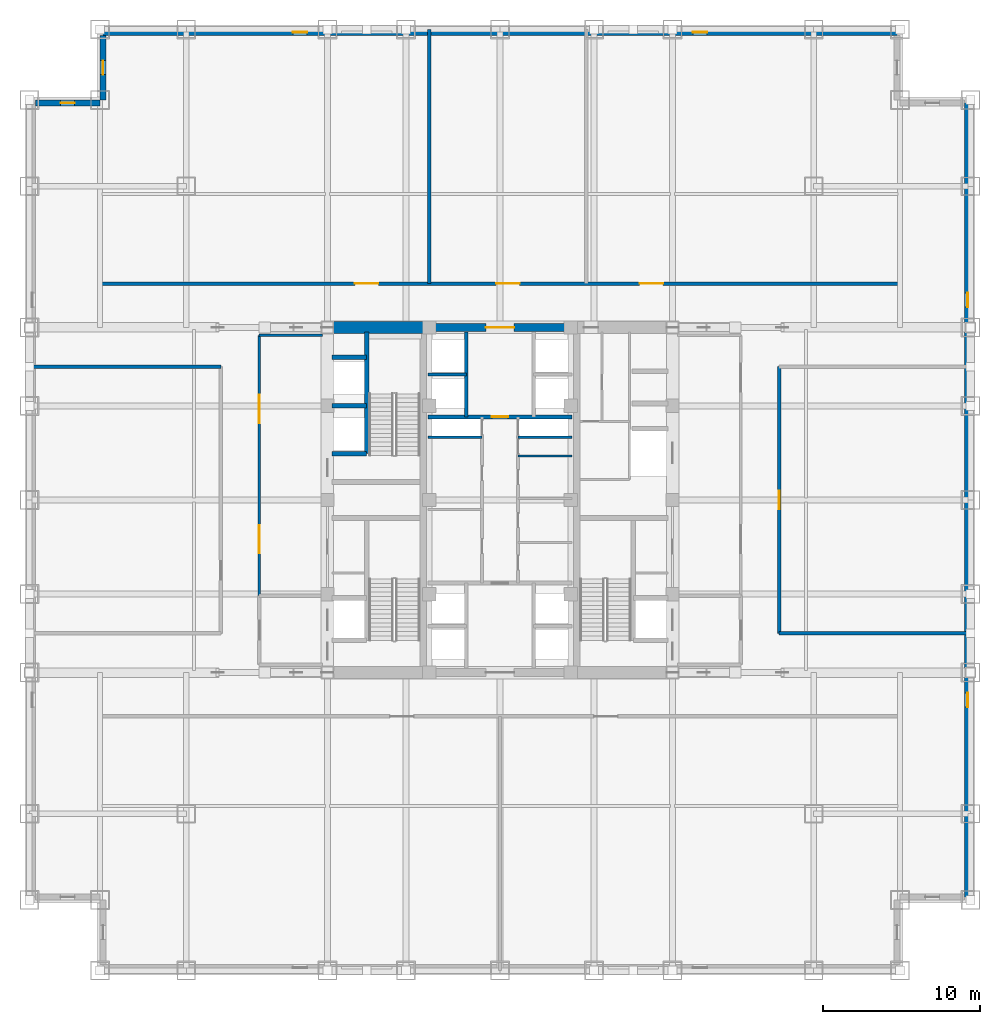
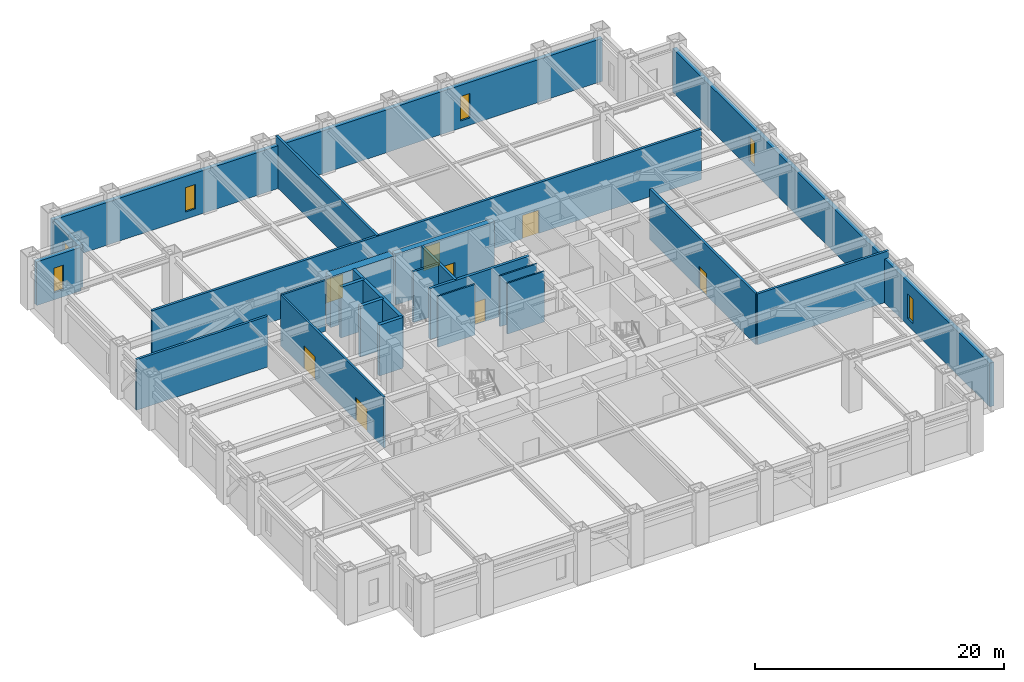
# One storey, part 9 of 12: 23 walls, 8 doors, 6 windows, 14 openings.
"""IFC4 building model written with IfcOpenShell, lengths in metres."""

from ifc_helpers import new_model, si_unit, direction, frame, frame_2d, origin, place, context, subcontext, project, spatial, rectangle, extrude, source, transform, mapped, material, layer, layer_set, type_object, element, fill, save


model = new_model("IFC4")

# Units and contexts
model_context = context("Model", 3, precision=1e-05, world=origin(), true_north=direction((0.0, 1.0)))
body_context = subcontext(model_context, "Body", "Model", "MODEL_VIEW")
ifc_project = project(units=[si_unit("LENGTHUNIT", "METRE"), si_unit("AREAUNIT", "SQUARE_METRE"), si_unit("VOLUMEUNIT", "CUBIC_METRE"), si_unit("PLANEANGLEUNIT", "RADIAN"), si_unit("MASSUNIT", "GRAM", prefix="KILO")], contexts=[model_context])

# Site, building, storey
site_placement = place(None, origin())
site = spatial("IfcSite", under=ifc_project, at=site_placement, CompositionType="ELEMENT")
building_placement = place(site_placement, origin())
building = spatial("IfcBuilding", under=site, at=building_placement, Name="Khorayat Bourse Tower", CompositionType="ELEMENT")
storey_placement = place(building_placement, frame((0.0, 0.0, 149.89990234375)))
storey = spatial("IfcBuildingStorey", under=building, at=storey_placement, Name="L34", CompositionType="ELEMENT", Elevation=149.89990234375)

# Wall
ifc_material_1 = material(Name="Concrete C72/90", Category="concrete")
ifc_layer_1 = layer(ifc_material_1, 0.75)
ifc_layer_set_1 = layer_set([ifc_layer_1], Name="Concrete C72/90")
wall_type_1 = type_object("IfcWallType", Name="WAL-CORE-750", PredefinedType="SHEAR", material=ifc_layer_set_1)
shared_shape_1 = source(origin(), body_context, "Body", "SweptSolid", [
    extrude(rectangle(XDim=5.849853515625, YDim=0.75, at=frame_2d((2.9248046875, 0.0))), origin(), (0.0, 0.0, 1.0), 4.97998046875),
])
wall_1_placement = place(storey_placement, frame((-10.699951171875, 11.0, 0.0), z_axis=(0.0, 0.0, 1.0), x_axis=(1.0, 0.0, 0.0)))
element("IfcWall", 1, at=wall_1_placement, inside=storey, type_object=wall_type_1, Name="L34 Core Shear Wall PIER-WN", PredefinedType="SHEAR", context=body_context, shape_type="MappedRepresentation", body=[
    mapped(shared_shape_1, transform((0.0, 0.0, 0.0), scale=1.0)),
])

# Wall, opening, door
ifc_material_2 = material(Name="Concrete C52/65", Category="concrete")
ifc_layer_2 = layer(ifc_material_2, 0.5)
ifc_layer_set_2 = layer_set([ifc_layer_2], Name="Concrete C52/65")
wall_type_2 = type_object("IfcWallType", Name="WAL-CORE-500", PredefinedType="SHEAR", material=ifc_layer_set_2)
shared_shape_2 = source(origin(), body_context, "Body", "SweptSolid", [
    extrude(rectangle(XDim=9.2001953125, YDim=0.5, at=frame_2d((4.60009765625, 0.0))), origin(), (0.0, 0.0, 1.0), 4.97998046875),
])
wall_2_placement = place(storey_placement, frame((-4.60009765625, 11.0, 0.0), z_axis=(0.0, 0.0, 1.0), x_axis=(1.0, 0.0, 0.0)))
wall_2 = element("IfcWall", 2, at=wall_2_placement, inside=storey, type_object=wall_type_2, Name="L34 Core Shear Wall CORE-N", PredefinedType="SHEAR", context=body_context, shape_type="MappedRepresentation", body=[
    mapped(shared_shape_2, transform((0.0, 0.0, 0.0), scale=1.0)),
])
shared_shape_3 = source(origin(), body_context, "Body", "SweptSolid", [
    extrude(rectangle(XDim=1.800048828125, YDim=2.25, at=frame_2d((0.89990234375, 1.125))), frame((0.0, 0.260009765625, 0.0), z_axis=(0.0, -1.0, 0.0), x_axis=(1.0, 0.0, 0.0)), (0.0, 0.0, 1.0), 0.52001953125),
])
opening_1_placement = place(wall_2_placement, frame((3.699951171875, 0.0, 0.0)))
opening_1 = element("IfcOpeningElement", 3, at=opening_1_placement, cuts=wall_2, Name="Opening DI-03", PredefinedType="OPENING", context=body_context, shape_type="MappedRepresentation", body=[
    mapped(shared_shape_3, transform((0.0, 0.0, 0.0), scale=1.0)),
])
ifc_material_3 = material(Name="Fire-rated hardwood vision-panel double leaf", Category="wood")
door_type_1 = type_object("IfcDoorType", Name="DR-INT-CORR-1800", OperationType="NOTDEFINED", PredefinedType="DOOR", material=ifc_material_3)
shared_shape_4 = source(origin(), body_context, "Body", "SweptSolid", [
    extrude(rectangle(XDim=1.800048828125, YDim=2.25, at=frame_2d((0.89990234375, 1.125))), frame((0.0, 0.02490234375, 0.0), z_axis=(0.0, -1.0, 0.0), x_axis=(1.0, 0.0, 0.0)), (0.0, 0.0, 1.0), 0.050048828125),
])
door_1_placement = place(opening_1_placement, origin())
door_1 = element("IfcDoor", 4, at=door_1_placement, inside=storey, type_object=door_type_1, Name="L34 Mid-Rise Lift Lobby Door", OperationType="SINGLE_SWING_RIGHT", OverallHeight=2.25, OverallWidth=1.800048828125, PredefinedType="DOOR", context=body_context, shape_type="MappedRepresentation", body=[
    mapped(shared_shape_4, transform((0.0, 0.0, 0.0), scale=1.0)),
])
fill(opening_1, door_1)

# Wall, opening, window
ifc_material_4 = material(Name="Precast concrete C45/55", Category="concrete")
ifc_layer_3 = layer(ifc_material_4, 0.3798828125)
ifc_layer_set_3 = layer_set([ifc_layer_3], Name="Precast concrete C45/55")
wall_type_3 = type_object("IfcWallType", Name="WAL-EXT-STONE-380", PredefinedType="STANDARD", material=ifc_layer_set_3)
shared_shape_5 = source(origin(), body_context, "Body", "SweptSolid", [
    extrude(rectangle(XDim=4.1201171875, YDim=0.3798828125, at=frame_2d((2.06005859375, 0.0))), origin(), (0.0, 0.0, 1.0), 4.28515625),
])
wall_3_placement = place(storey_placement, frame((-25.5, 25.31005859375, 0.0), z_axis=(0.0, 0.0, 1.0), x_axis=(-1.0, 0.0, 0.0)))
wall_3 = element("IfcWall", 5, at=wall_3_placement, inside=storey, type_object=wall_type_3, Name="L34 Re-Entrant Notch Limestone Wall NW-H", PredefinedType="STANDARD", context=body_context, shape_type="MappedRepresentation", body=[
    mapped(shared_shape_5, transform((0.0, 0.0, 0.0), scale=1.0)),
])
shared_shape_6 = source(origin(), body_context, "Body", "SweptSolid", [
    extrude(rectangle(XDim=0.89990234375, YDim=2.39990234375, at=frame_2d((0.449951171875, 1.199951171875))), frame((0.0, 0.199951171875, 0.0), z_axis=(0.0, -1.0, 0.0), x_axis=(1.0, 0.0, 0.0)), (0.0, 0.0, 1.0), 0.39990234375),
])
opening_2_placement = place(wall_3_placement, frame((1.610107421875, 0.0, 0.699951171875)))
opening_2 = element("IfcOpeningElement", 6, at=opening_2_placement, cuts=wall_3, Name="Opening WN-03", PredefinedType="OPENING", context=body_context, shape_type="MappedRepresentation", body=[
    mapped(shared_shape_6, transform((0.0, 0.0, 0.0), scale=1.0)),
])
ifc_material_5 = material(Name="Deep-reveal solar-control double glazing", Category="glass")
window_type = type_object("IfcWindowType", Name="WIN-SLOT-900x2400", PartitioningType="SINGLE_PANEL", PredefinedType="WINDOW", material=ifc_material_5)
shared_shape_7 = source(origin(), body_context, "Body", "SweptSolid", [
    extrude(rectangle(XDim=0.89990234375, YDim=2.39990234375, at=frame_2d((0.449951171875, 1.199951171875))), frame((0.0, 0.030029296875, 0.0), z_axis=(0.0, -1.0, 0.0), x_axis=(1.0, 0.0, 0.0)), (0.0, 0.0, 1.0), 0.06005859375),
])
window_1_placement = place(opening_2_placement, origin())
window_1 = element("IfcWindow", 7, at=window_1_placement, inside=storey, type_object=window_type, Name="L34 Facade Window 1", OverallHeight=2.39990234375, OverallWidth=0.89990234375, PartitioningType="SINGLE_PANEL", PredefinedType="WINDOW", context=body_context, shape_type="MappedRepresentation", body=[
    mapped(shared_shape_7, transform((0.0, 0.0, 0.0), scale=1.0)),
])
fill(opening_2, window_1)

shared_shape_8 = source(origin(), body_context, "Body", "SweptSolid", [
    extrude(rectangle(XDim=4.1201171875, YDim=0.3798828125, at=frame_2d((2.06005859375, 0.0))), origin(), (0.0, 0.0, 1.0), 4.205078125),
])
wall_4_placement = place(storey_placement, frame((-25.31005859375, 25.5, 0.0), z_axis=(0.0, 0.0, 1.0), x_axis=(0.0, 1.0, 0.0)))
wall_4 = element("IfcWall", 8, at=wall_4_placement, inside=storey, type_object=wall_type_3, Name="L34 Re-Entrant Notch Limestone Wall NW-V", PredefinedType="STANDARD", context=body_context, shape_type="MappedRepresentation", body=[
    mapped(shared_shape_8, transform((0.0, 0.0, 0.0), scale=1.0)),
])
opening_3_placement = place(wall_4_placement, frame((1.610107421875, 0.0, 0.699951171875)))
opening_3 = element("IfcOpeningElement", 9, at=opening_3_placement, cuts=wall_4, Name="Opening WN-03", PredefinedType="OPENING", context=body_context, shape_type="MappedRepresentation", body=[
    mapped(shared_shape_6, transform((0.0, 0.0, 0.0), scale=1.0)),
])
window_2_placement = place(opening_3_placement, origin())
window_2 = element("IfcWindow", 10, at=window_2_placement, inside=storey, type_object=window_type, Name="L34 Facade Window 1", OverallHeight=2.39990234375, OverallWidth=0.89990234375, PartitioningType="SINGLE_PANEL", PredefinedType="WINDOW", context=body_context, shape_type="MappedRepresentation", body=[
    mapped(shared_shape_7, transform((0.0, 0.0, 0.0), scale=1.0)),
])
fill(opening_3, window_2)

# Wall, openings, windows
shared_shape_9 = source(origin(), body_context, "Body", "SweptSolid", [
    extrude(rectangle(XDim=51.0, YDim=0.3798828125, at=frame_2d((25.5, 0.0))), origin(), (0.0, 0.0, 1.0), 4.205078125),
])
wall_5_placement = place(storey_placement, frame((-25.5, 29.81005859375, 0.0), z_axis=(0.0, 0.0, 1.0), x_axis=(1.0, 0.0, 0.0)))
wall_5 = element("IfcWall", 11, at=wall_5_placement, inside=storey, type_object=wall_type_3, Name="L34 Plant Perimeter Wall N", PredefinedType="STANDARD", context=body_context, shape_type="MappedRepresentation", body=[
    mapped(shared_shape_9, transform((0.0, 0.0, 0.0), scale=1.0)),
])
opening_4_placement = place(wall_5_placement, frame((12.300048828125, 0.0, 0.699951171875)))
opening_4 = element("IfcOpeningElement", 12, at=opening_4_placement, cuts=wall_5, Name="Opening WN-03", PredefinedType="OPENING", context=body_context, shape_type="MappedRepresentation", body=[
    mapped(shared_shape_6, transform((0.0, 0.0, 0.0), scale=1.0)),
])
opening_5_placement = place(wall_5_placement, frame((37.800048828125, 0.0, 0.699951171875)))
opening_5 = element("IfcOpeningElement", 13, at=opening_5_placement, cuts=wall_5, Name="Opening WN-03", PredefinedType="OPENING", context=body_context, shape_type="MappedRepresentation", body=[
    mapped(shared_shape_6, transform((0.0, 0.0, 0.0), scale=1.0)),
])
window_3_placement = place(opening_4_placement, origin())
window_3 = element("IfcWindow", 14, at=window_3_placement, inside=storey, type_object=window_type, Name="L34 Facade Window 1", OverallHeight=2.39990234375, OverallWidth=0.89990234375, PartitioningType="SINGLE_PANEL", PredefinedType="WINDOW", context=body_context, shape_type="MappedRepresentation", body=[
    mapped(shared_shape_7, transform((0.0, 0.0, 0.0), scale=1.0)),
])
fill(opening_4, window_3)
window_4_placement = place(opening_5_placement, origin())
window_4 = element("IfcWindow", 15, at=window_4_placement, inside=storey, type_object=window_type, Name="L34 Facade Window 3", OverallHeight=2.39990234375, OverallWidth=0.89990234375, PartitioningType="SINGLE_PANEL", PredefinedType="WINDOW", context=body_context, shape_type="MappedRepresentation", body=[
    mapped(shared_shape_7, transform((0.0, 0.0, 0.0), scale=1.0)),
])
fill(opening_5, window_4)

shared_shape_10 = source(origin(), body_context, "Body", "SweptSolid", [
    extrude(rectangle(XDim=51.0, YDim=0.3798828125, at=frame_2d((25.5, 0.0))), origin(), (0.0, 0.0, 1.0), 4.28515625),
])
wall_6_placement = place(storey_placement, frame((29.81005859375, -25.5, 0.0), z_axis=(0.0, 0.0, 1.0), x_axis=(0.0, 1.0, 0.0)))
wall_6 = element("IfcWall", 16, at=wall_6_placement, inside=storey, type_object=wall_type_3, Name="L34 Plant Perimeter Wall E", PredefinedType="STANDARD", context=body_context, shape_type="MappedRepresentation", body=[
    mapped(shared_shape_10, transform((0.0, 0.0, 0.0), scale=1.0)),
])
opening_6_placement = place(wall_6_placement, frame((12.300048828125, 0.0, 0.699951171875)))
opening_6 = element("IfcOpeningElement", 17, at=opening_6_placement, cuts=wall_6, Name="Opening WN-03", PredefinedType="OPENING", context=body_context, shape_type="MappedRepresentation", body=[
    mapped(shared_shape_6, transform((0.0, 0.0, 0.0), scale=1.0)),
])
opening_7_placement = place(wall_6_placement, frame((37.800048828125, 0.0, 0.699951171875)))
opening_7 = element("IfcOpeningElement", 18, at=opening_7_placement, cuts=wall_6, Name="Opening WN-03", PredefinedType="OPENING", context=body_context, shape_type="MappedRepresentation", body=[
    mapped(shared_shape_6, transform((0.0, 0.0, 0.0), scale=1.0)),
])
window_5_placement = place(opening_6_placement, origin())
window_5 = element("IfcWindow", 19, at=window_5_placement, inside=storey, type_object=window_type, Name="L34 Facade Window 1", OverallHeight=2.39990234375, OverallWidth=0.89990234375, PartitioningType="SINGLE_PANEL", PredefinedType="WINDOW", context=body_context, shape_type="MappedRepresentation", body=[
    mapped(shared_shape_7, transform((0.0, 0.0, 0.0), scale=1.0)),
])
fill(opening_6, window_5)
window_6_placement = place(opening_7_placement, origin())
window_6 = element("IfcWindow", 20, at=window_6_placement, inside=storey, type_object=window_type, Name="L34 Facade Window 3", OverallHeight=2.39990234375, OverallWidth=0.89990234375, PartitioningType="SINGLE_PANEL", PredefinedType="WINDOW", context=body_context, shape_type="MappedRepresentation", body=[
    mapped(shared_shape_7, transform((0.0, 0.0, 0.0), scale=1.0)),
])
fill(opening_7, window_6)

# Walls
ifc_material_6 = material(Name="Concrete C50/60", Category="concrete")
ifc_layer_4 = layer(ifc_material_6, 0.300048828125)
ifc_layer_set_4 = layer_set([ifc_layer_4], Name="Concrete C50/60")
wall_type_4 = type_object("IfcWallType", Name="WAL-SHAFT-300", PredefinedType="SHEAR", material=ifc_layer_set_4)
shared_shape_11 = source(origin(), body_context, "Body", "SweptSolid", [
    extrude(rectangle(XDim=2.199951171875, YDim=0.300048828125, at=frame_2d((1.10009765625, 0.0))), origin(), (0.0, 0.0, 1.0), 4.97998046875),
])
for number, where, z_axis, x_axis, name in (
    (21, (-10.699951171875, 2.949951171875, 0.0), (0.0, 0.0, 1.0), (1.0, 0.0, 0.0), "L34 Partition WAL-L34-WPIER-H1S"),
    (22, (-10.699951171875, 6.0, 0.0), (0.0, 0.0, 1.0), (1.0, 0.0, 0.0), "L34 Partition WAL-L34-WPIER-H12"),
    (23, (-10.699951171875, 9.10009765625, 0.0), (0.0, 0.0, 1.0), (1.0, 0.0, 0.0), "L34 Partition WAL-L34-WPIER-H2N"),
):
    element("IfcWall", number, at=place(storey_placement, frame(where, z_axis=z_axis, x_axis=x_axis)), inside=storey, type_object=wall_type_4, Name=name, PredefinedType="SHEAR", context=body_context, shape_type="MappedRepresentation", body=[
        mapped(shared_shape_11, transform((0.0, 0.0, 0.0), scale=1.0)),
    ])
shared_shape_12 = source(origin(), body_context, "Body", "SweptSolid", [
    extrude(rectangle(XDim=7.75, YDim=0.300048828125, at=frame_2d((3.875, 0.0))), origin(), (0.0, 0.0, 1.0), 4.97998046875),
])
wall_7_placement = place(storey_placement, frame((-8.5, 2.949951171875, 0.0), z_axis=(0.0, 0.0, 1.0), x_axis=(0.0, 1.0, 0.0)))
element("IfcWall", 24, at=wall_7_placement, inside=storey, type_object=wall_type_4, Name="L34 Partition WAL-L34-WPIER-ST2S", PredefinedType="SHEAR", context=body_context, shape_type="MappedRepresentation", body=[
    mapped(shared_shape_12, transform((0.0, 0.0, 0.0), scale=1.0)),
])
ifc_material_7 = material(Name="Gypsum plasterboard acoustic stud wall")
ifc_layer_5 = layer(ifc_material_7, 0.179931640625)
ifc_layer_set_5 = layer_set([ifc_layer_5], Name="Gypsum plasterboard acoustic stud wall")
wall_type_5 = type_object("IfcWallType", Name="WAL-PART-CORR-180", PredefinedType="PARTITIONING", material=ifc_layer_set_5)
shared_shape_13 = source(origin(), body_context, "Body", "SweptSolid", [
    extrude(rectangle(XDim=4.050048828125, YDim=0.179931640625, at=frame_2d((2.02490234375, 0.0))), origin(), (0.0, 0.0, 1.0), 4.97998046875),
])
wall_8_placement = place(storey_placement, frame((-15.35009765625, 10.5, 0.0), z_axis=(0.0, 0.0, 1.0), x_axis=(1.0, 0.0, 0.0)))
element("IfcWall", 25, at=wall_8_placement, inside=storey, type_object=wall_type_5, Name="L34 Partition WAL-L34-WLOB-N", PredefinedType="PARTITIONING", context=body_context, shape_type="MappedRepresentation", body=[
    mapped(shared_shape_13, transform((0.0, 0.0, 0.0), scale=1.0)),
])

# Wall, openings, doors
shared_shape_14 = source(origin(), body_context, "Body", "SweptSolid", [
    extrude(rectangle(XDim=16.60009765625, YDim=0.179931640625, at=frame_2d((8.300048828125, 0.0))), origin(), (0.0, 0.0, 1.0), 4.97998046875),
])
wall_9_placement = place(storey_placement, frame((-15.35009765625, -6.10009765625, 0.0), z_axis=(0.0, 0.0, 1.0), x_axis=(0.0, 1.0, 0.0)))
wall_9 = element("IfcWall", 26, at=wall_9_placement, inside=storey, type_object=wall_type_5, Name="L34 Partition WAL-L34-WLOB-W", PredefinedType="PARTITIONING", context=body_context, shape_type="MappedRepresentation", body=[
    mapped(shared_shape_14, transform((0.0, 0.0, 0.0), scale=1.0)),
])
shared_shape_15 = source(origin(), body_context, "Body", "SweptSolid", [
    extrude(rectangle(XDim=1.800048828125, YDim=2.25, at=frame_2d((0.89990234375, 1.125))), frame((0.0, 0.099853515625, 0.0), z_axis=(0.0, -1.0, 0.0), x_axis=(1.0, 0.0, 0.0)), (0.0, 0.0, 1.0), 0.199951171875),
])
opening_8_placement = place(wall_9_placement, frame((2.699951171875, 0.0, 0.0)))
opening_8 = element("IfcOpeningElement", 27, at=opening_8_placement, cuts=wall_9, Name="Opening DI-03", PredefinedType="OPENING", context=body_context, shape_type="MappedRepresentation", body=[
    mapped(shared_shape_15, transform((0.0, 0.0, 0.0), scale=1.0)),
])
opening_9_placement = place(wall_9_placement, frame((11.0, 0.0, 0.0)))
opening_9 = element("IfcOpeningElement", 28, at=opening_9_placement, cuts=wall_9, Name="Opening DI-03", PredefinedType="OPENING", context=body_context, shape_type="MappedRepresentation", body=[
    mapped(shared_shape_15, transform((0.0, 0.0, 0.0), scale=1.0)),
])
door_2_placement = place(opening_8_placement, origin())
door_2 = element("IfcDoor", 29, at=door_2_placement, inside=storey, type_object=door_type_1, Name="L34 West Core Lobby South Door", OperationType="SINGLE_SWING_LEFT", OverallHeight=2.25, OverallWidth=1.800048828125, PredefinedType="DOOR", context=body_context, shape_type="MappedRepresentation", body=[
    mapped(shared_shape_4, transform((0.0, 0.0, 0.0), scale=1.0)),
])
fill(opening_8, door_2)
door_3_placement = place(opening_9_placement, origin())
door_3 = element("IfcDoor", 30, at=door_3_placement, inside=storey, type_object=door_type_1, Name="L34 West Core Lobby North Door", OperationType="SINGLE_SWING_RIGHT", OverallHeight=2.25, OverallWidth=1.800048828125, PredefinedType="DOOR", context=body_context, shape_type="MappedRepresentation", body=[
    mapped(shared_shape_4, transform((0.0, 0.0, 0.0), scale=1.0)),
])
fill(opening_9, door_3)

# Walls
ifc_material_8 = material(Name="Gypsum plasterboard twin-frame partition")
ifc_layer_6 = layer(ifc_material_8, 0.14990234375)
ifc_layer_set_6 = layer_set([ifc_layer_6], Name="Gypsum plasterboard twin-frame partition")
wall_type_6 = type_object("IfcWallType", Name="WAL-PART-SUITE-150", PredefinedType="PARTITIONING", material=ifc_layer_set_6)
shared_shape_16 = source(origin(), body_context, "Body", "SweptSolid", [
    extrude(rectangle(XDim=3.4501953125, YDim=0.14990234375, at=frame_2d((1.72509765625, 0.0))), origin(), (0.0, 0.0, 1.0), 4.97998046875),
])
for number, where, z_axis, x_axis, name in (
    (31, (-4.60009765625, 4.0, 0.0), (0.0, 0.0, 1.0), (1.0, 0.0, 0.0), "L34 Partition WAL-L34-CRSW-S"),
    (32, (1.14990234375, 4.0, 0.0), (0.0, 0.0, 1.0), (1.0, 0.0, 0.0), "L34 Partition WAL-L34-CRSE-S"),
):
    element("IfcWall", number, at=place(storey_placement, frame(where, z_axis=z_axis, x_axis=x_axis)), inside=storey, type_object=wall_type_6, Name=name, PredefinedType="PARTITIONING", context=body_context, shape_type="MappedRepresentation", body=[
        mapped(shared_shape_16, transform((0.0, 0.0, 0.0), scale=1.0)),
    ])
shared_shape_17 = source(origin(), body_context, "Body", "SweptSolid", [
    extrude(rectangle(XDim=5.39990234375, YDim=0.25, at=frame_2d((2.699951171875, 0.0))), origin(), (0.0, 0.0, 1.0), 4.97998046875),
])
wall_10_placement = place(storey_placement, frame((-2.14990234375, 5.300048828125, 0.0), z_axis=(0.0, 0.0, 1.0), x_axis=(0.0, 1.0, 0.0)))
element("IfcWall", 33, at=wall_10_placement, inside=storey, type_object=wall_type_4, Name="L34 Partition WAL-L34-B2-W", PredefinedType="SHEAR", context=body_context, shape_type="MappedRepresentation", body=[
    mapped(shared_shape_17, transform((0.0, 0.0, 0.0), scale=1.0)),
])
shared_shape_18 = source(origin(), body_context, "Body", "SweptSolid", [
    extrude(rectangle(XDim=2.4501953125, YDim=0.199951171875, at=frame_2d((1.22509765625, 0.0))), origin(), (0.0, 0.0, 1.0), 4.97998046875),
])
wall_11_placement = place(storey_placement, frame((-4.60009765625, 8.0, 0.0), z_axis=(0.0, 0.0, 1.0), x_axis=(1.0, 0.0, 0.0)))
element("IfcWall", 34, at=wall_11_placement, inside=storey, type_object=wall_type_4, Name="L34 Partition WAL-L34-B2-MW", PredefinedType="SHEAR", context=body_context, shape_type="MappedRepresentation", body=[
    mapped(shared_shape_18, transform((0.0, 0.0, 0.0), scale=1.0)),
])

# Wall, opening, door
shared_shape_19 = source(origin(), body_context, "Body", "SweptSolid", [
    extrude(rectangle(XDim=9.2001953125, YDim=0.25, at=frame_2d((4.60009765625, 0.0))), origin(), (0.0, 0.0, 1.0), 4.97998046875),
])
wall_12_placement = place(storey_placement, frame((-4.60009765625, 5.300048828125, 0.0), z_axis=(0.0, 0.0, 1.0), x_axis=(1.0, 0.0, 0.0)))
wall_12 = element("IfcWall", 35, at=wall_12_placement, inside=storey, type_object=wall_type_4, Name="L34 Partition WAL-L34-B2-S", PredefinedType="SHEAR", context=body_context, shape_type="MappedRepresentation", body=[
    mapped(shared_shape_19, transform((0.0, 0.0, 0.0), scale=1.0)),
])
shared_shape_20 = source(origin(), body_context, "Body", "SweptSolid", [
    extrude(rectangle(XDim=1.050048828125, YDim=2.199951171875, at=frame_2d((0.52490234375, 1.10009765625))), frame((0.0, 0.135009765625, 0.0), z_axis=(0.0, -1.0, 0.0), x_axis=(1.0, 0.0, 0.0)), (0.0, 0.0, 1.0), 0.27001953125),
])
opening_10_placement = place(wall_12_placement, frame((4.074951171875, 0.0, 0.0)))
opening_10 = element("IfcOpeningElement", 36, at=opening_10_placement, cuts=wall_12, Name="Opening DI-04", PredefinedType="OPENING", context=body_context, shape_type="MappedRepresentation", body=[
    mapped(shared_shape_20, transform((0.0, 0.0, 0.0), scale=1.0)),
])
ifc_material_9 = material(Name="Fire-rated oak veneer suite entrance door")
door_type_2 = type_object("IfcDoorType", Name="DR-INT-SUITE-1050", OperationType="NOTDEFINED", PredefinedType="DOOR", material=ifc_material_9)
shared_shape_21 = source(origin(), body_context, "Body", "SweptSolid", [
    extrude(rectangle(XDim=1.050048828125, YDim=2.199951171875, at=frame_2d((0.52490234375, 1.10009765625))), frame((0.0, 0.02490234375, 0.0), z_axis=(0.0, -1.0, 0.0), x_axis=(1.0, 0.0, 0.0)), (0.0, 0.0, 1.0), 0.050048828125),
])
door_4_placement = place(opening_10_placement, origin())
door_4 = element("IfcDoor", 37, at=door_4_placement, inside=storey, type_object=door_type_2, Name="L34 Core Spine North Door", OperationType="SINGLE_SWING_RIGHT", OverallHeight=2.199951171875, OverallWidth=1.050048828125, PredefinedType="DOOR", context=body_context, shape_type="MappedRepresentation", body=[
    mapped(shared_shape_21, transform((0.0, 0.0, 0.0), scale=1.0)),
])
fill(opening_10, door_4)

# Wall
ifc_material_10 = material(Name="Moisture-resistant masonry partition", Category="masonry")
ifc_layer_7 = layer(ifc_material_10, 0.139892578125)
ifc_layer_set_7 = layer_set([ifc_layer_7], Name="Moisture-resistant masonry partition")
wall_type_7 = type_object("IfcWallType", Name="WAL-PART-WET-140", PredefinedType="PARTITIONING", material=ifc_layer_set_7)
shared_shape_22 = source(origin(), body_context, "Body", "SweptSolid", [
    extrude(rectangle(XDim=3.4501953125, YDim=0.139892578125, at=frame_2d((1.72509765625, 0.0))), origin(), (0.0, 0.0, 1.0), 4.97998046875),
])
wall_13_placement = place(storey_placement, frame((1.14990234375, 2.800048828125, 0.0), z_axis=(0.0, 0.0, 1.0), x_axis=(1.0, 0.0, 0.0)))
element("IfcWall", 38, at=wall_13_placement, inside=storey, type_object=wall_type_7, Name="L34 Partition WAL-L34-CME-D3", PredefinedType="PARTITIONING", context=body_context, shape_type="MappedRepresentation", body=[
    mapped(shared_shape_22, transform((0.0, 0.0, 0.0), scale=1.0)),
])

# Wall, openings, doors
ifc_material_11 = material(Name="Aerated concrete blockwork", Category="masonry")
ifc_layer_8 = layer(ifc_material_11, 0.219970703125)
ifc_layer_set_8 = layer_set([ifc_layer_8], Name="Aerated concrete blockwork")
wall_type_8 = type_object("IfcWallType", Name="WAL-PART-FF-220", PredefinedType="PARTITIONING", material=ifc_layer_set_8)
shared_shape_23 = source(origin(), body_context, "Body", "SweptSolid", [
    extrude(rectangle(XDim=51.0, YDim=0.219970703125, at=frame_2d((25.5, 0.0))), origin(), (0.0, 0.0, 1.0), 4.97998046875),
])
wall_14_placement = place(storey_placement, frame((-25.5, 13.800048828125, 0.0), z_axis=(0.0, 0.0, 1.0), x_axis=(1.0, 0.0, 0.0)))
wall_14 = element("IfcWall", 39, at=wall_14_placement, inside=storey, type_object=wall_type_8, Name="L34 Partition WAL-L34-PLN-S", PredefinedType="PARTITIONING", context=body_context, shape_type="MappedRepresentation", body=[
    mapped(shared_shape_23, transform((0.0, 0.0, 0.0), scale=1.0)),
])
shared_shape_24 = source(origin(), body_context, "Body", "SweptSolid", [
    extrude(rectangle(XDim=1.5, YDim=2.300048828125, at=frame_2d((0.75, 1.14990234375))), frame((0.0, 0.119873046875, 0.0), z_axis=(0.0, -1.0, 0.0), x_axis=(1.0, 0.0, 0.0)), (0.0, 0.0, 1.0), 0.239990234375),
])
opening_11_placement = place(wall_14_placement, frame((16.25, 0.0, 0.0)))
opening_11 = element("IfcOpeningElement", 40, at=opening_11_placement, cuts=wall_14, Name="Opening DI-07", PredefinedType="OPENING", context=body_context, shape_type="MappedRepresentation", body=[
    mapped(shared_shape_24, transform((0.0, 0.0, 0.0), scale=1.0)),
])
opening_12_placement = place(wall_14_placement, frame((25.25, 0.0, 0.0)))
opening_12 = element("IfcOpeningElement", 41, at=opening_12_placement, cuts=wall_14, Name="Opening DI-07", PredefinedType="OPENING", context=body_context, shape_type="MappedRepresentation", body=[
    mapped(shared_shape_24, transform((0.0, 0.0, 0.0), scale=1.0)),
])
opening_13_placement = place(wall_14_placement, frame((34.39990234375, 0.0, 0.0)))
opening_13 = element("IfcOpeningElement", 42, at=opening_13_placement, cuts=wall_14, Name="Opening DI-07", PredefinedType="OPENING", context=body_context, shape_type="MappedRepresentation", body=[
    mapped(shared_shape_24, transform((0.0, 0.0, 0.0), scale=1.0)),
])
ifc_material_12 = material(Name="Louvred fire-rated steel plant double door", Category="steel")
door_type_3 = type_object("IfcDoorType", Name="DR-INT-PLANT-1500", OperationType="NOTDEFINED", PredefinedType="DOOR", material=ifc_material_12)
shared_shape_25 = source(origin(), body_context, "Body", "SweptSolid", [
    extrude(rectangle(XDim=1.5, YDim=2.300048828125, at=frame_2d((0.75, 1.14990234375))), frame((0.0, 0.02490234375, 0.0), z_axis=(0.0, -1.0, 0.0), x_axis=(1.0, 0.0, 0.0)), (0.0, 0.0, 1.0), 0.050048828125),
])
door_5_placement = place(opening_11_placement, origin())
door_5 = element("IfcDoor", 43, at=door_5_placement, inside=storey, type_object=door_type_3, Name="L34 AHU Plant Door", OperationType="SINGLE_SWING_LEFT", OverallHeight=2.300048828125, OverallWidth=1.5, PredefinedType="DOOR", context=body_context, shape_type="MappedRepresentation", body=[
    mapped(shared_shape_25, transform((0.0, 0.0, 0.0), scale=1.0)),
])
fill(opening_11, door_5)
door_6_placement = place(opening_12_placement, origin())
door_6 = element("IfcDoor", 44, at=door_6_placement, inside=storey, type_object=door_type_3, Name="L34 HV Switchgear Door", OperationType="SINGLE_SWING_RIGHT", OverallHeight=2.300048828125, OverallWidth=1.5, PredefinedType="DOOR", context=body_context, shape_type="MappedRepresentation", body=[
    mapped(shared_shape_25, transform((0.0, 0.0, 0.0), scale=1.0)),
])
fill(opening_12, door_6)
door_7_placement = place(opening_13_placement, origin())
door_7 = element("IfcDoor", 45, at=door_7_placement, inside=storey, type_object=door_type_3, Name="L34 BMS Plant Door", OperationType="SINGLE_SWING_LEFT", OverallHeight=2.300048828125, OverallWidth=1.5, PredefinedType="DOOR", context=body_context, shape_type="MappedRepresentation", body=[
    mapped(shared_shape_25, transform((0.0, 0.0, 0.0), scale=1.0)),
])
fill(opening_13, door_7)

# Walls
shared_shape_26 = source(origin(), body_context, "Body", "SweptSolid", [
    extrude(rectangle(XDim=16.199951171875, YDim=0.219970703125, at=frame_2d((8.10009765625, 0.0))), origin(), (0.0, 0.0, 1.0), 4.97998046875),
])
wall_15_placement = place(storey_placement, frame((-4.5, 13.800048828125, 0.0), z_axis=(0.0, 0.0, 1.0), x_axis=(0.0, 1.0, 0.0)))
element("IfcWall", 46, at=wall_15_placement, inside=storey, type_object=wall_type_8, Name="L34 Partition WAL-L34-PLN-D1", PredefinedType="PARTITIONING", context=body_context, shape_type="MappedRepresentation", body=[
    mapped(shared_shape_26, transform((0.0, 0.0, 0.0), scale=1.0)),
])
shared_shape_27 = source(origin(), body_context, "Body", "SweptSolid", [
    extrude(rectangle(XDim=12.199951171875, YDim=0.219970703125, at=frame_2d((6.10009765625, 0.0))), origin(), (0.0, 0.0, 1.0), 4.97998046875),
])
for number, where, z_axis, x_axis, name in (
    (47, (-30.0, 8.5, 0.0), (0.0, 0.0, 1.0), (1.0, 0.0, 0.0), "L34 Partition WAL-L34-PLW-N"),
    (48, (17.800048828125, -8.5, 0.0), (0.0, 0.0, 1.0), (1.0, 0.0, 0.0), "L34 Partition WAL-L34-PLE-S"),
):
    element("IfcWall", number, at=place(storey_placement, frame(where, z_axis=z_axis, x_axis=x_axis)), inside=storey, type_object=wall_type_8, Name=name, PredefinedType="PARTITIONING", context=body_context, shape_type="MappedRepresentation", body=[
        mapped(shared_shape_27, transform((0.0, 0.0, 0.0), scale=1.0)),
    ])

# Wall, opening, door
shared_shape_28 = source(origin(), body_context, "Body", "SweptSolid", [
    extrude(rectangle(XDim=17.0, YDim=0.219970703125, at=frame_2d((8.5, 0.0))), origin(), (0.0, 0.0, 1.0), 4.97998046875),
])
wall_16_placement = place(storey_placement, frame((17.800048828125, -8.5, 0.0), z_axis=(0.0, 0.0, 1.0), x_axis=(0.0, 1.0, 0.0)))
wall_16 = element("IfcWall", 49, at=wall_16_placement, inside=storey, type_object=wall_type_8, Name="L34 Partition WAL-L34-PLE-W", PredefinedType="PARTITIONING", context=body_context, shape_type="MappedRepresentation", body=[
    mapped(shared_shape_28, transform((0.0, 0.0, 0.0), scale=1.0)),
])
shared_shape_29 = source(origin(), body_context, "Body", "SweptSolid", [
    extrude(rectangle(XDim=1.199951171875, YDim=2.199951171875, at=frame_2d((0.60009765625, 1.10009765625))), frame((0.0, 0.119873046875, 0.0), z_axis=(0.0, -1.0, 0.0), x_axis=(1.0, 0.0, 0.0)), (0.0, 0.0, 1.0), 0.239990234375),
])
opening_14_placement = place(wall_16_placement, frame((7.89990234375, 0.0, 0.0)))
opening_14 = element("IfcOpeningElement", 50, at=opening_14_placement, cuts=wall_16, Name="Opening DI-02", PredefinedType="OPENING", context=body_context, shape_type="MappedRepresentation", body=[
    mapped(shared_shape_29, transform((0.0, 0.0, 0.0), scale=1.0)),
])
ifc_material_13 = material(Name="Fire-rated steel double-seal leaf", Category="steel")
door_type_4 = type_object("IfcDoorType", Name="DR-INT-FFLOBBY-1200", OperationType="NOTDEFINED", PredefinedType="DOOR", material=ifc_material_13)
shared_shape_30 = source(origin(), body_context, "Body", "SweptSolid", [
    extrude(rectangle(XDim=1.199951171875, YDim=2.199951171875, at=frame_2d((0.60009765625, 1.10009765625))), frame((0.0, 0.02490234375, 0.0), z_axis=(0.0, -1.0, 0.0), x_axis=(1.0, 0.0, 0.0)), (0.0, 0.0, 1.0), 0.050048828125),
])
door_8_placement = place(opening_14_placement, origin())
door_8 = element("IfcDoor", 51, at=door_8_placement, inside=storey, type_object=door_type_4, Name="L34 Protected Area of Refuge East Door", OperationType="SINGLE_SWING_RIGHT", OverallHeight=2.199951171875, OverallWidth=1.199951171875, PredefinedType="DOOR", context=body_context, shape_type="MappedRepresentation", body=[
    mapped(shared_shape_30, transform((0.0, 0.0, 0.0), scale=1.0)),
])
fill(opening_14, door_8)

save(model, "model.ifc")
